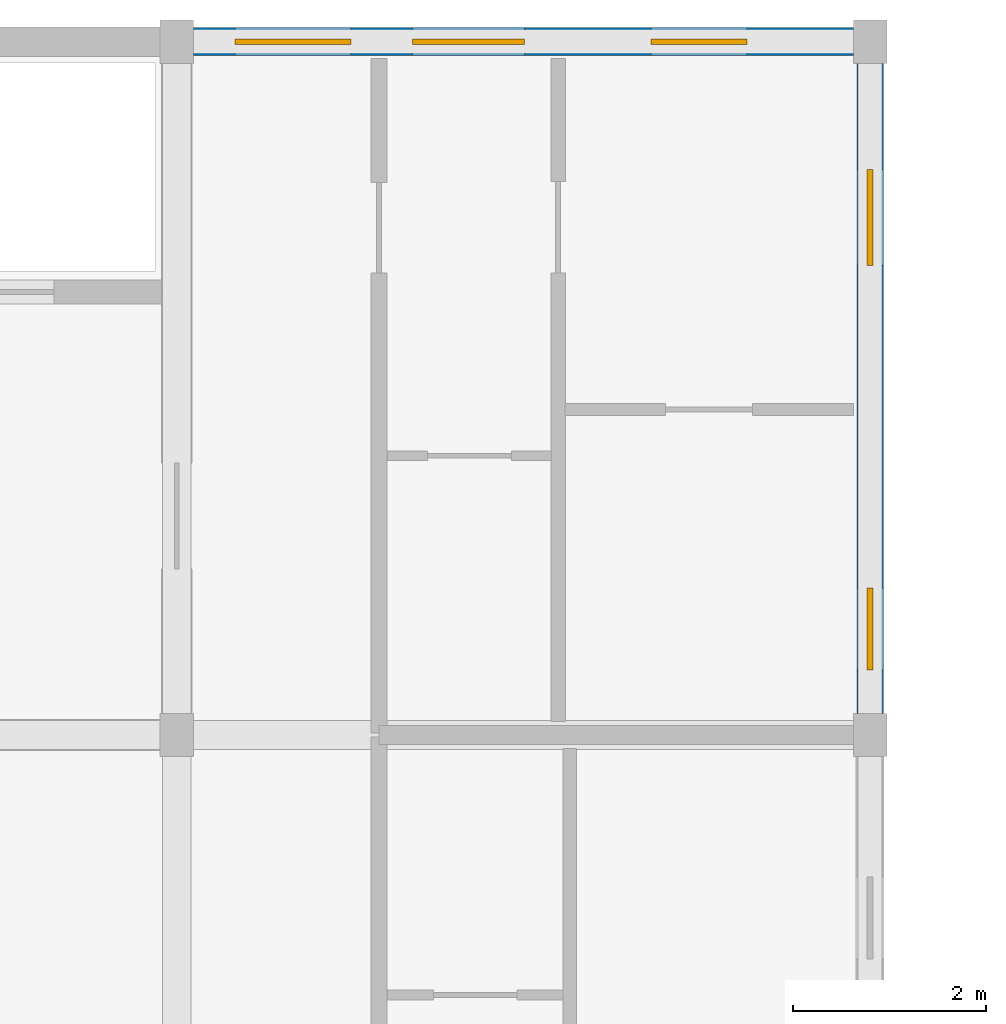
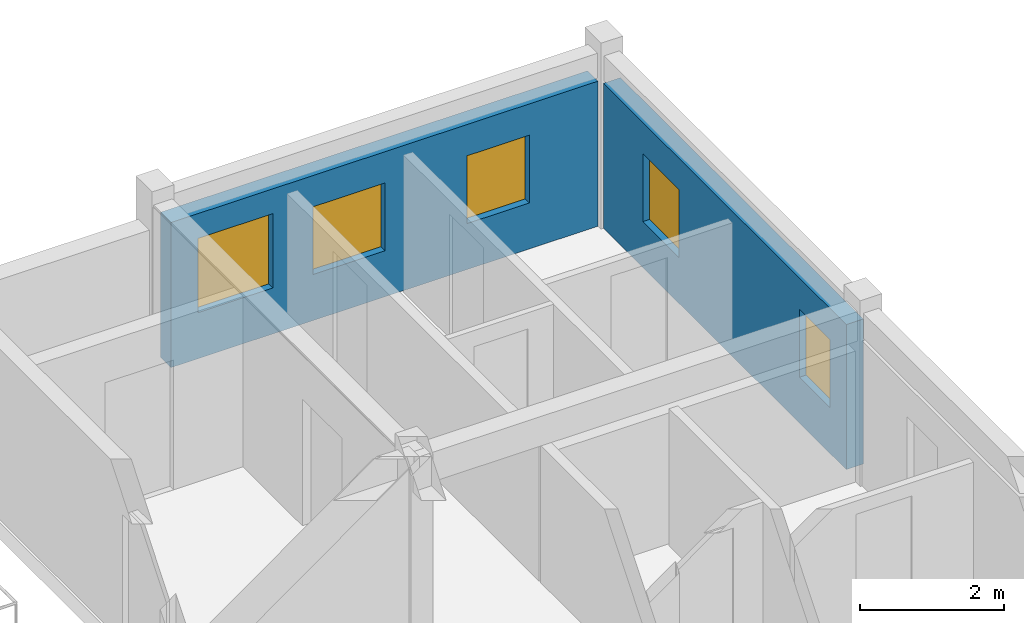
# One storey, part 5 of 6: 5 windows, 2 walls, 5 openings.
"""IFC4 building model written with IfcOpenShell, lengths in metres."""

from ifc_helpers import new_model, si_unit, direction, frame, frame_2d, origin, place, context, subcontext, project, spatial, rectangle, extrude, material, layer, layer_set, type_object, element, fill, save


model = new_model("IFC4")

# Units and contexts
model_context = context("Model", 3, precision=1e-05, world=origin(), true_north=direction((0.0, 1.0)))
body_context = subcontext(model_context, "Body", "Model", "MODEL_VIEW")
ifc_project = project(units=[si_unit("LENGTHUNIT", "METRE"), si_unit("AREAUNIT", "SQUARE_METRE"), si_unit("VOLUMEUNIT", "CUBIC_METRE"), si_unit("PLANEANGLEUNIT", "RADIAN"), si_unit("MASSUNIT", "GRAM", prefix="KILO"), si_unit("THERMODYNAMICTEMPERATUREUNIT", "KELVIN"), si_unit("POWERUNIT", "WATT")], contexts=[model_context])

# Site, building, storey
site_placement = place(None, origin())
site = spatial("IfcSite", under=ifc_project, at=site_placement, CompositionType="ELEMENT")
building_placement = place(site_placement, origin())
building = spatial("IfcBuilding", under=site, at=building_placement, Name="Tavuni Mirador Residences", CompositionType="ELEMENT")
storey_placement = place(building_placement, frame((0.0, 0.0, 48.60009765625)))
storey = spatial("IfcBuildingStorey", under=building, at=storey_placement, Name="L15", CompositionType="ELEMENT", Elevation=48.60009765625)

# Wall, openings, windows
ifc_material_1 = material(Name="Sgraffito lime-rendered precast concrete C40/50", Category="concrete")
ifc_layer_1 = layer(ifc_material_1, 0.27490234375, Name="Sgraffito lime-rendered precast concrete C40/50", Category="concrete")
ifc_layer_set_1 = layer_set([ifc_layer_1], Name="Sgraffito lime-rendered precast concrete C40/50")
wall_type_1 = type_object("IfcWallType", Name="WT-EXT-PC275", PredefinedType="SOLIDWALL", material=ifc_layer_set_1)
wall_1_placement = place(storey_placement, frame((25.199951171875, 29.02490234375, 0.0), z_axis=(0.0, 0.0, 1.0), x_axis=(0.0, 1.0, 0.0)))
wall_1 = element("IfcWall", 1, at=wall_1_placement, inside=storey, type_object=wall_type_1, Name="EW-BLK-A-L15-E03", PredefinedType="SOLIDWALL", context=body_context, shape_type="SweptSolid", body=[
    extrude(rectangle(XDim=6.75, YDim=0.27490234375, at=frame_2d((3.375, 0.0))), origin(), (0.0, 0.0, 1.0), 2.4599609375),
])
opening_1_placement = place(wall_1_placement, frame((0.449951171875, 0.0, 0.780029296875)))
opening_1 = element("IfcOpeningElement", 2, at=opening_1_placement, cuts=wall_1, Name="Opening WN-01", PredefinedType="OPENING", context=body_context, shape_type="SweptSolid", body=[
    extrude(rectangle(XDim=0.85009765625, YDim=1.14990234375, at=frame_2d((0.425048828125, 0.574951171875))), frame((0.0, 0.1474609375, 0.0), z_axis=(0.0, -1.0, 0.0), x_axis=(1.0, 0.0, 0.0)), (0.0, 0.0, 1.0), 0.294921875),
])
opening_2_placement = place(wall_1_placement, frame((4.64990234375, 0.0, 0.780029296875)))
opening_2 = element("IfcOpeningElement", 3, at=opening_2_placement, cuts=wall_1, Name="Opening WN-03", PredefinedType="OPENING", context=body_context, shape_type="SweptSolid", body=[
    extrude(rectangle(XDim=1.0, YDim=1.14990234375, at=frame_2d((0.5, 0.574951171875))), frame((0.0, 0.1474609375, 0.0), z_axis=(0.0, -1.0, 0.0), x_axis=(1.0, 0.0, 0.0)), (0.0, 0.0, 1.0), 0.294921875),
])
ifc_material_2 = material(Name="Laminated solar-control glass", Category="glass")
window_type_1 = type_object("IfcWindowType", Name="WNT-01", PartitioningType="SINGLE_PANEL", PredefinedType="WINDOW", material=ifc_material_2)
window_1_placement = place(opening_1_placement, origin())
window_1 = element("IfcWindow", 4, at=window_1_placement, inside=storey, type_object=window_type_1, Name="WIN-0525", OverallHeight=1.14990234375, OverallWidth=0.85009765625, PartitioningType="SINGLE_PANEL", PredefinedType="WINDOW", context=body_context, shape_type="SweptSolid", body=[
    extrude(rectangle(XDim=0.85009765625, YDim=1.14990234375, at=frame_2d((0.425048828125, 0.574951171875))), frame((0.0, 0.030029296875, 0.0), z_axis=(0.0, -1.0, 0.0), x_axis=(1.0, 0.0, 0.0)), (0.0, 0.0, 1.0), 0.06005859375),
])
fill(opening_1, window_1)
window_type_2 = type_object("IfcWindowType", Name="WNT-03", PartitioningType="SINGLE_PANEL", PredefinedType="WINDOW", material=ifc_material_2)
window_2_placement = place(opening_2_placement, origin())
window_2 = element("IfcWindow", 5, at=window_2_placement, inside=storey, type_object=window_type_2, Name="WIN-0526", OverallHeight=1.14990234375, OverallWidth=1.0, PartitioningType="SINGLE_PANEL", PredefinedType="WINDOW", context=body_context, shape_type="SweptSolid", body=[
    extrude(rectangle(XDim=1.0, YDim=1.14990234375, at=frame_2d((0.5, 0.574951171875))), frame((0.0, 0.030029296875, 0.0), z_axis=(0.0, -1.0, 0.0), x_axis=(1.0, 0.0, 0.0)), (0.0, 0.0, 1.0), 0.06005859375),
])
fill(opening_2, window_2)

ifc_layer_2 = layer(ifc_material_1, 0.2900390625, Name="Sgraffito lime-rendered precast concrete C40/50", Category="concrete")
ifc_layer_set_2 = layer_set([ifc_layer_2], Name="Sgraffito lime-rendered precast concrete C40/50")
wall_type_2 = type_object("IfcWallType", Name="WT-EXT-PC290", PredefinedType="SOLIDWALL", material=ifc_layer_set_2)
wall_2_placement = place(storey_placement, frame((25.02490234375, 36.0, 0.0), z_axis=(0.0, 0.0, 1.0), x_axis=(-1.0, 0.0, 0.0)))
wall_2 = element("IfcWall", 6, at=wall_2_placement, inside=storey, type_object=wall_type_2, Name="EW-BLK-A-L15-N02", PredefinedType="SOLIDWALL", context=body_context, shape_type="SweptSolid", body=[
    extrude(rectangle(XDim=6.849853515625, YDim=0.2900390625, at=frame_2d((3.4248046875, 0.0))), origin(), (0.0, 0.0, 1.0), 2.4599609375),
])
opening_3_placement = place(wall_2_placement, frame((1.1025390625, 0.0, 0.780029296875)))
opening_3 = element("IfcOpeningElement", 7, at=opening_3_placement, cuts=wall_2, Name="Opening WN-03", PredefinedType="OPENING", context=body_context, shape_type="SweptSolid", body=[
    extrude(rectangle(XDim=1.0, YDim=1.14990234375, at=frame_2d((0.5, 0.574951171875))), frame((0.0, 0.155029296875, 0.0), z_axis=(0.0, -1.0, 0.0), x_axis=(1.0, 0.0, 0.0)), (0.0, 0.0, 1.0), 0.31005859375),
])
opening_4_placement = place(wall_2_placement, frame((3.4150390625, 0.0, 0.780029296875)))
opening_4 = element("IfcOpeningElement", 8, at=opening_4_placement, cuts=wall_2, Name="Opening WN-05", PredefinedType="OPENING", context=body_context, shape_type="SweptSolid", body=[
    extrude(rectangle(XDim=1.159912109375, YDim=1.14990234375, at=frame_2d((0.580078125, 0.574951171875))), frame((0.0, 0.155029296875, 0.0), z_axis=(0.0, -1.0, 0.0), x_axis=(1.0, 0.0, 0.0)), (0.0, 0.0, 1.0), 0.31005859375),
])
opening_5_placement = place(wall_2_placement, frame((5.217529296875, 0.0, 0.780029296875)))
opening_5 = element("IfcOpeningElement", 9, at=opening_5_placement, cuts=wall_2, Name="Opening WN-13", PredefinedType="OPENING", context=body_context, shape_type="SweptSolid", body=[
    extrude(rectangle(XDim=1.199951171875, YDim=1.260009765625, at=frame_2d((0.60009765625, 0.6298828125))), frame((0.0, 0.155029296875, 0.0), z_axis=(0.0, -1.0, 0.0), x_axis=(1.0, 0.0, 0.0)), (0.0, 0.0, 1.0), 0.31005859375),
])
window_3_placement = place(opening_3_placement, origin())
window_3 = element("IfcWindow", 10, at=window_3_placement, inside=storey, type_object=window_type_2, Name="WIN-0527", OverallHeight=1.14990234375, OverallWidth=1.0, PartitioningType="SINGLE_PANEL", PredefinedType="WINDOW", context=body_context, shape_type="SweptSolid", body=[
    extrude(rectangle(XDim=1.0, YDim=1.14990234375, at=frame_2d((0.5, 0.574951171875))), frame((0.0, 0.030029296875, 0.0), z_axis=(0.0, -1.0, 0.0), x_axis=(1.0, 0.0, 0.0)), (0.0, 0.0, 1.0), 0.06005859375),
])
fill(opening_3, window_3)
window_type_3 = type_object("IfcWindowType", Name="WNT-05", PartitioningType="SINGLE_PANEL", PredefinedType="WINDOW", material=ifc_material_2)
window_4_placement = place(opening_4_placement, origin())
window_4 = element("IfcWindow", 11, at=window_4_placement, inside=storey, type_object=window_type_3, Name="WIN-0528", OverallHeight=1.14990234375, OverallWidth=1.159912109375, PartitioningType="SINGLE_PANEL", PredefinedType="WINDOW", context=body_context, shape_type="SweptSolid", body=[
    extrude(rectangle(XDim=1.159912109375, YDim=1.14990234375, at=frame_2d((0.580078125, 0.574951171875))), frame((0.0, 0.030029296875, 0.0), z_axis=(0.0, -1.0, 0.0), x_axis=(1.0, 0.0, 0.0)), (0.0, 0.0, 1.0), 0.06005859375),
])
fill(opening_4, window_4)
window_type_4 = type_object("IfcWindowType", Name="WNT-13", PartitioningType="SINGLE_PANEL", PredefinedType="WINDOW", material=ifc_material_2)
window_5_placement = place(opening_5_placement, origin())
window_5 = element("IfcWindow", 12, at=window_5_placement, inside=storey, type_object=window_type_4, Name="WIN-0529", OverallHeight=1.260009765625, OverallWidth=1.199951171875, PartitioningType="SINGLE_PANEL", PredefinedType="WINDOW", context=body_context, shape_type="SweptSolid", body=[
    extrude(rectangle(XDim=1.199951171875, YDim=1.260009765625, at=frame_2d((0.60009765625, 0.6298828125))), frame((0.0, 0.030029296875, 0.0), z_axis=(0.0, -1.0, 0.0), x_axis=(1.0, 0.0, 0.0)), (0.0, 0.0, 1.0), 0.06005859375),
])
fill(opening_5, window_5)

save(model, "model.ifc")
